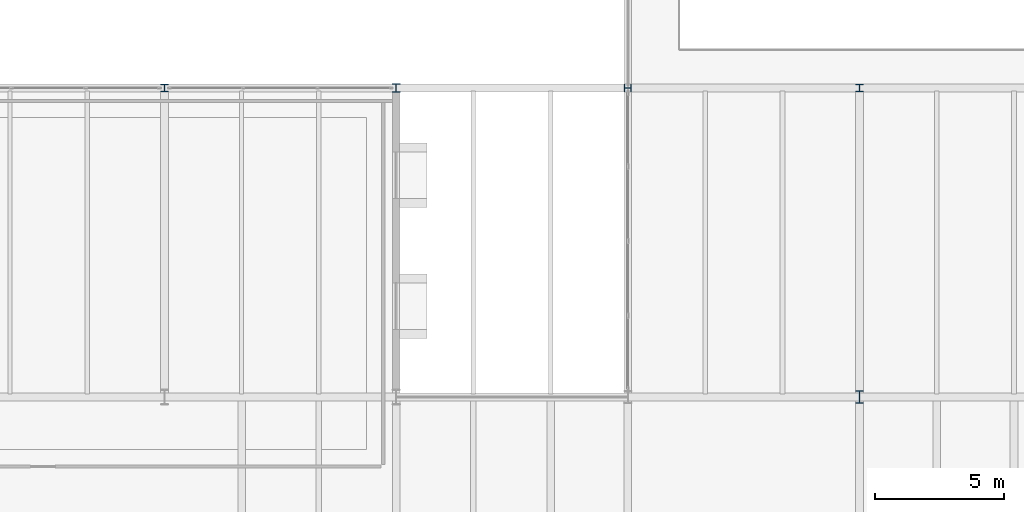
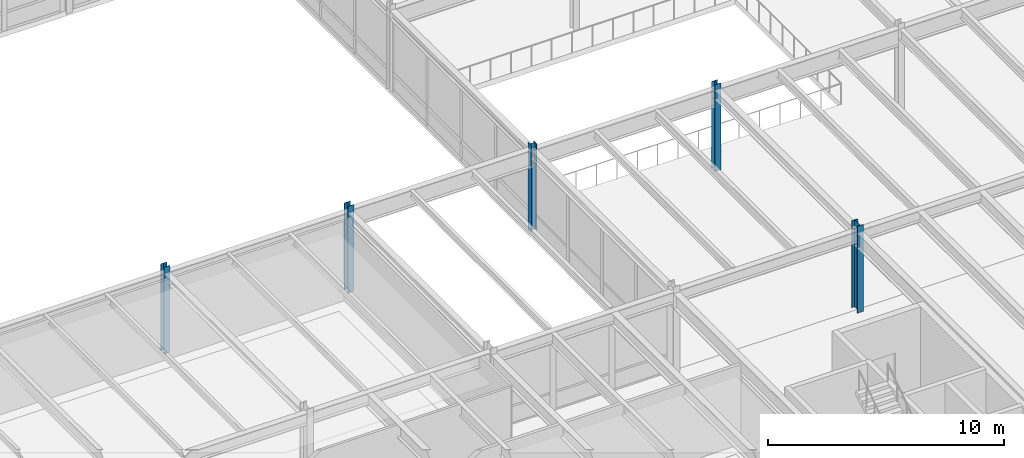
# One storey, part 3 of 127: 5 columns.
"""IFC4 building model written with IfcOpenShell, lengths in metres."""

from ifc_helpers import new_model, si_unit, direction, frame, origin, origin_2d, place, context, subcontext, project, spatial, i_section, extrude, material, material_profile, profile_set, type_object, element, save


model = new_model("IFC4")

# Units and contexts
model_context = context("Model", 3, precision=1e-05, world=origin(), true_north=direction((0.0, 1.0)))
body_context = subcontext(model_context, "Body", "Model", "MODEL_VIEW")
ifc_project = project(units=[si_unit("LENGTHUNIT", "METRE"), si_unit("AREAUNIT", "SQUARE_METRE"), si_unit("VOLUMEUNIT", "CUBIC_METRE"), si_unit("PLANEANGLEUNIT", "RADIAN"), si_unit("MASSUNIT", "GRAM", prefix="KILO")], contexts=[model_context])

# Site, building, storey
site_placement = place(None, origin())
site = spatial("IfcSite", under=ifc_project, at=site_placement, CompositionType="ELEMENT")
building_placement = place(site_placement, origin())
building = spatial("IfcBuilding", under=site, at=building_placement, Name="Montelvaro Courts of Justice", CompositionType="ELEMENT")
storey_placement = place(building_placement, frame((0.0, 0.0, 5.39990234375)))
storey = spatial("IfcBuildingStorey", under=building, at=storey_placement, Name="L01", CompositionType="ELEMENT", Elevation=5.39990234375)

# Columns
ifc_material = material(Name="Steel S355", Category="steel")
ifc_material_profile_1 = material_profile(ifc_material, i_section(OverallWidth=0.280029296875, OverallDepth=0.280029296875, WebThickness=0.010498046875, FlangeThickness=0.01806640625, at=origin_2d()), Name="HEB 280")
ifc_profile_set_1 = profile_set([ifc_material_profile_1], Name="Steel S355")
column_type_1 = type_object("IfcColumnType", Name="Col_HEB280", PredefinedType="COLUMN", material=ifc_profile_set_1)
column_1_placement = place(storey_placement, frame((54.0, 54.0, 0.0), z_axis=(0.0, 0.0, 1.0), x_axis=(0.0, 1.0, 0.0)))
element("IfcColumn", 1, at=column_1_placement, inside=storey, type_object=column_type_1, Name="Column C-02 L01 7/E", PredefinedType="COLUMN", context=body_context, shape_type="SweptSolid", body=[
    extrude(i_section(OverallWidth=0.280029296875, OverallDepth=0.280029296875, WebThickness=0.010498046875, FlangeThickness=0.01806640625, at=origin_2d()), origin(), (0.0, 0.0, 1.0), 4.5),
])
ifc_material_profile_2 = material_profile(ifc_material, i_section(OverallWidth=0.300048828125, OverallDepth=0.300048828125, WebThickness=0.010986328125, FlangeThickness=0.01904296875, at=origin_2d()), Name="HEB 300")
ifc_profile_set_2 = profile_set([ifc_material_profile_2], Name="Steel S355")
column_type_2 = type_object("IfcColumnType", Name="Col_HEB300", PredefinedType="COLUMN", material=ifc_profile_set_2)
for number, where, z_axis, x_axis, name in (
    (2, (36.0, 54.0, 0.0), (0.0, 0.0, 1.0), (1.0, 0.0, 0.0), "Column C-03 L01 5/E"),
    (3, (63.0, 54.0, 0.0), (0.0, 0.0, 1.0), (1.0, 0.0, 0.0), "Column C-03 L01 8/E"),
):
    element("IfcColumn", number, at=place(storey_placement, frame(where, z_axis=z_axis, x_axis=x_axis)), inside=storey, type_object=column_type_2, Name=name, PredefinedType="COLUMN", context=body_context, shape_type="SweptSolid", body=[
        extrude(i_section(OverallWidth=0.300048828125, OverallDepth=0.300048828125, WebThickness=0.010986328125, FlangeThickness=0.01904296875, at=origin_2d()), origin(), (0.0, 0.0, 1.0), 4.5),
    ])
ifc_material_profile_3 = material_profile(ifc_material, i_section(OverallWidth=0.300048828125, OverallDepth=0.320068359375, WebThickness=0.011474609375, FlangeThickness=0.0205078125, at=origin_2d()), Name="HEB 320")
ifc_profile_set_3 = profile_set([ifc_material_profile_3], Name="Steel S355")
column_type_3 = type_object("IfcColumnType", Name="Col_HEB320", PredefinedType="COLUMN", material=ifc_profile_set_3)
column_2_placement = place(storey_placement, frame((45.0, 54.0, 0.0), z_axis=(0.0, 0.0, 1.0), x_axis=(1.0, 0.0, 0.0)))
element("IfcColumn", 4, at=column_2_placement, inside=storey, type_object=column_type_3, Name="Column C-04 L01 6/E", PredefinedType="COLUMN", context=body_context, shape_type="SweptSolid", body=[
    extrude(i_section(OverallWidth=0.300048828125, OverallDepth=0.320068359375, WebThickness=0.011474609375, FlangeThickness=0.0205078125, at=origin_2d()), origin(), (0.0, 0.0, 1.0), 4.5),
])
ifc_material_profile_4 = material_profile(ifc_material, i_section(OverallWidth=0.300048828125, OverallDepth=0.5, WebThickness=0.014404296875, FlangeThickness=0.028076171875, at=origin_2d()), Name="HEB 500")
ifc_profile_set_4 = profile_set([ifc_material_profile_4], Name="Steel S355")
column_type_4 = type_object("IfcColumnType", Name="Col_HEB500", PredefinedType="COLUMN", material=ifc_profile_set_4)
column_3_placement = place(storey_placement, frame((63.0, 42.0, 0.0), z_axis=(0.0, 0.0, 1.0), x_axis=(1.0, 0.0, 0.0)))
element("IfcColumn", 5, at=column_3_placement, inside=storey, type_object=column_type_4, Name="Column C-09 L01 8/D", PredefinedType="COLUMN", context=body_context, shape_type="SweptSolid", body=[
    extrude(i_section(OverallWidth=0.300048828125, OverallDepth=0.5, WebThickness=0.014404296875, FlangeThickness=0.028076171875, at=origin_2d()), origin(), (0.0, 0.0, 1.0), 4.5),
])

save(model, "model.ifc")
